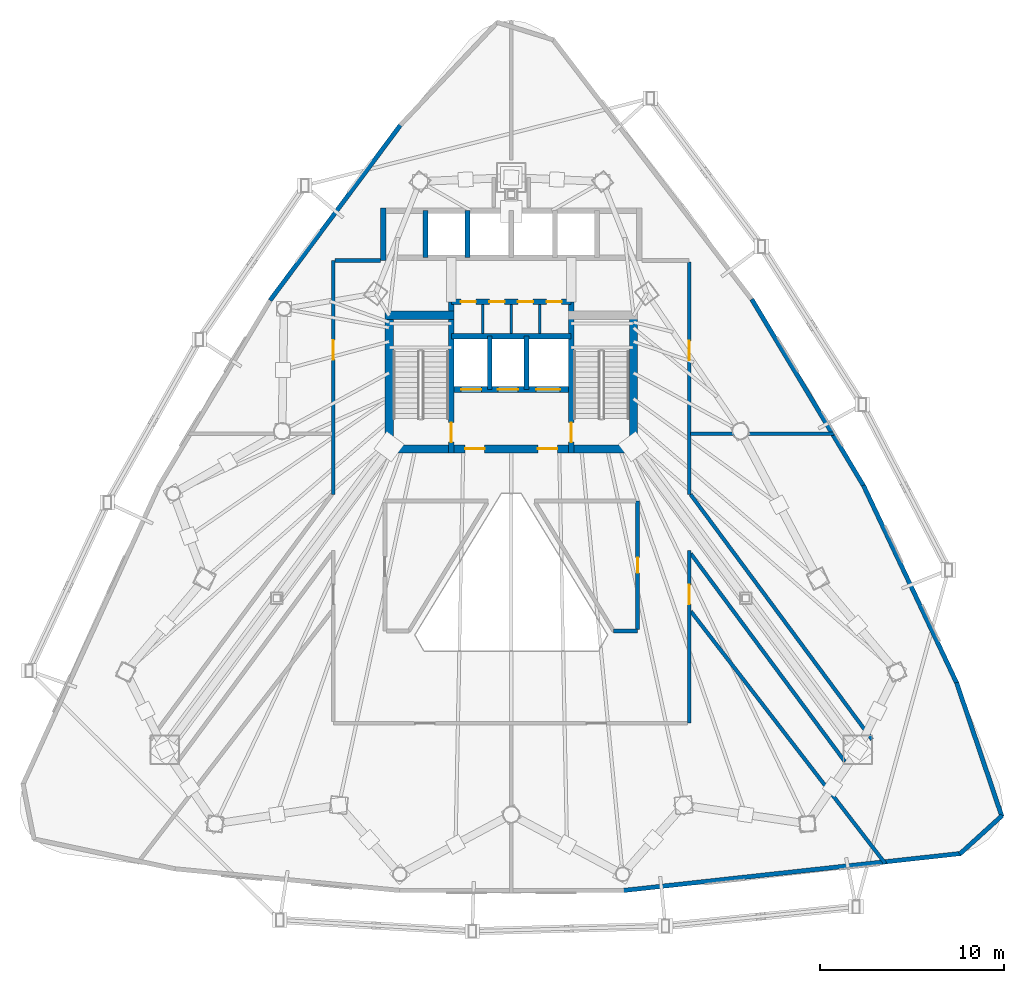
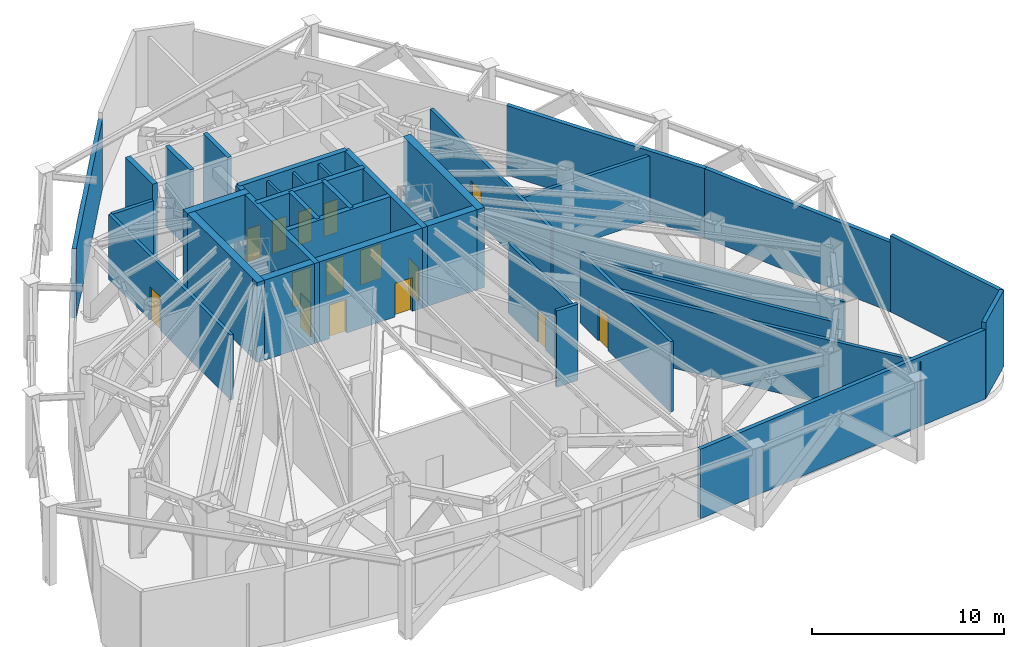
# One storey, part 6 of 10: 33 walls, 15 doors, 15 openings.
"""IFC4 building model written with IfcOpenShell, lengths in metres."""

from ifc_helpers import new_model, si_unit, direction, frame, frame_2d, origin, place, context, subcontext, project, spatial, rectangle, extrude, material, layer, layer_set, type_object, element, fill, save


model = new_model("IFC4")

# Units and contexts
model_context = context("Model", 3, precision=1e-05, world=origin(), true_north=direction((0.0, 1.0)))
body_context = subcontext(model_context, "Body", "Model", "MODEL_VIEW")
ifc_project = project(units=[si_unit("LENGTHUNIT", "METRE"), si_unit("AREAUNIT", "SQUARE_METRE"), si_unit("VOLUMEUNIT", "CUBIC_METRE"), si_unit("PLANEANGLEUNIT", "RADIAN"), si_unit("MASSUNIT", "GRAM", prefix="KILO")], contexts=[model_context])

# Site, building, storey
site_placement = place(None, origin())
site = spatial("IfcSite", under=ifc_project, at=site_placement, CompositionType="ELEMENT")
building_placement = place(site_placement, origin())
building = spatial("IfcBuilding", under=site, at=building_placement, Name="Orvanel Arch Residences", CompositionType="ELEMENT")
storey_placement = place(building_placement, frame((0.0, 0.0, 101.60009765625)))
storey = spatial("IfcBuildingStorey", under=building, at=storey_placement, Name="L28", CompositionType="ELEMENT", Elevation=101.60009765625)

# Walls
ifc_material_1 = material(Name="Precast concrete N50 (50 MPa)", Category="concrete")
ifc_layer_1 = layer(ifc_material_1, 0.239990234375)
ifc_layer_set_1 = layer_set([ifc_layer_1], Name="Precast concrete N50 (50 MPa)")
wall_type_1 = type_object("IfcWallType", Name="EW-BAL-240", PredefinedType="SOLIDWALL", material=ifc_layer_set_1)
wall_1_placement = place(storey_placement, frame((27.02294921875, 44.284912109375, 0.0), z_axis=(0.0, 0.0, 1.0), x_axis=(-0.596844342512, -0.802357046963, 0.0)))
element("IfcWall", 1, at=wall_1_placement, inside=storey, type_object=wall_type_1, Name="L28 Plant Acoustic Louvre Wall Face 1A", PredefinedType="SOLIDWALL", context=body_context, shape_type="SweptSolid", body=[
    extrude(rectangle(XDim=11.90087890625, YDim=0.239990234375, at=frame_2d((5.950439453125, 0.0))), origin(), (0.0, 0.0, 1.0), 4.423828125),
])
wall_2_placement = place(storey_placement, frame((39.052978515625, 2.722900390625, 0.0), z_axis=(0.0, 0.0, 1.0), x_axis=(0.994049046298, 0.108933436345, 0.0)))
element("IfcWall", 2, at=wall_2_placement, inside=storey, type_object=wall_type_1, Name="L28 Plant Acoustic Louvre Wall Face 2C", PredefinedType="SOLIDWALL", context=body_context, shape_type="SweptSolid", body=[
    extrude(rectangle(XDim=18.44287109375, YDim=0.239990234375, at=frame_2d((9.221435546875, 0.0))), origin(), (0.0, 0.0, 1.0), 4.423828125),
])
wall_3_placement = place(storey_placement, frame((57.180908203125, 13.93603515625, 0.0), z_axis=(0.0, 0.0, 1.0), x_axis=(-0.426823189916, 0.904335095277, 0.0)))
element("IfcWall", 3, at=wall_3_placement, inside=storey, type_object=wall_type_1, Name="L28 Plant Acoustic Louvre Wall Face 3A", PredefinedType="SOLIDWALL", context=body_context, shape_type="SweptSolid", body=[
    extrude(rectangle(XDim=11.901611328125, YDim=0.239990234375, at=frame_2d((5.95068359375, 0.0))), origin(), (0.0, 0.0, 1.0), 4.423828125),
])
wall_4_placement = place(storey_placement, frame((52.134033203125, 24.636962890625, 0.0), z_axis=(0.0, 0.0, 1.0), x_axis=(-0.514423004023, 0.857536572359, 0.0)))
element("IfcWall", 4, at=wall_4_placement, inside=storey, type_object=wall_type_1, Name="L28 Plant Acoustic Louvre Wall Face 3B", PredefinedType="SOLIDWALL", context=body_context, shape_type="SweptSolid", body=[
    extrude(rectangle(XDim=11.844482421875, YDim=0.239990234375, at=frame_2d((5.92236328125, 0.0))), origin(), (0.0, 0.0, 1.0), 4.423828125),
])
wall_5_placement = place(storey_placement, frame((57.325927734375, 4.705078125, 0.0), z_axis=(0.0, 0.0, 1.0), x_axis=(0.740430642157, 0.672132772713, 0.0)))
element("IfcWall", 5, at=wall_5_placement, inside=storey, type_object=wall_type_1, Name="L28 Plant Corner Enclosure Wall", PredefinedType="SOLIDWALL", context=body_context, shape_type="SweptSolid", body=[
    extrude(rectangle(XDim=3.1064453125, YDim=0.239990234375, at=frame_2d((1.55322265625, 0.0))), origin(), (0.0, 0.0, 1.0), 4.85986328125),
])
wall_6_placement = place(storey_placement, frame((59.612060546875, 6.736083984375, 0.0), z_axis=(0.0, 0.0, 1.0), x_axis=(-0.320379093225, 0.94728941545, 0.0)))
element("IfcWall", 6, at=wall_6_placement, inside=storey, type_object=wall_type_1, Name="L28 Plant Corner Enclosure Wall", PredefinedType="SOLIDWALL", context=body_context, shape_type="SweptSolid", body=[
    extrude(rectangle(XDim=7.669189453125, YDim=0.239990234375, at=frame_2d((3.83447265625, 0.0))), origin(), (0.0, 0.0, 1.0), 4.85986328125),
])
ifc_material_2 = material(Name="Concrete N50 (50 MPa)", Category="concrete")
ifc_layer_2 = layer(ifc_material_2, 0.25)
ifc_layer_set_2 = layer_set([ifc_layer_2], Name="Concrete N50 (50 MPa)")
wall_type_2 = type_object("IfcWallType", Name="SW-CORE-250", PredefinedType="SHEAR", material=ifc_layer_set_2)
for number, where, z_axis, x_axis, name in (
    (7, (31.824951171875, 29.89990234375, 0.0), (0.0, 0.0, 1.0), (0.0, 1.0, 0.0), "L28 Emergency Lift Inter-Shaft Wall F12"),
    (8, (33.824951171875, 29.89990234375, 0.0), (0.0, 0.0, 1.0), (0.0, 1.0, 0.0), "L28 Emergency Lift Inter-Shaft Wall F2G"),
):
    element("IfcWall", number, at=place(storey_placement, frame(where, z_axis=z_axis, x_axis=x_axis)), inside=storey, type_object=wall_type_2, Name=name, PredefinedType="SHEAR", context=body_context, shape_type="SweptSolid", body=[
        extrude(rectangle(XDim=2.900146484375, YDim=0.25, at=frame_2d((1.4501953125, 0.0))), origin(), (0.0, 0.0, 1.0), 5.099853515625),
    ])
for number, where, z_axis, x_axis, name in (
    (9, (28.35009765625, 37.050048828125, 0.0), (0.0, 0.0, 1.0), (0.0, 1.0, 0.0), "L28 Passenger Lift Inter-Shaft Wall P13"),
    (10, (30.625, 37.050048828125, 0.0), (0.0, 0.0, 1.0), (0.0, 1.0, 0.0), "L28 Passenger Lift Inter-Shaft Wall P35"),
):
    element("IfcWall", number, at=place(storey_placement, frame(where, z_axis=z_axis, x_axis=x_axis)), inside=storey, type_object=wall_type_2, Name=name, PredefinedType="SHEAR", context=body_context, shape_type="SweptSolid", body=[
        extrude(rectangle(XDim=2.550048828125, YDim=0.25, at=frame_2d((1.27490234375, 0.0))), origin(), (0.0, 0.0, 1.0), 5.099853515625),
    ])

# Wall, opening, door
ifc_material_3 = material(Name="Concrete S80 (80 MPa)", Category="concrete")
ifc_layer_3 = layer(ifc_material_3, 0.300048828125)
ifc_layer_set_3 = layer_set([ifc_layer_3], Name="Concrete S80 (80 MPa)")
wall_type_3 = type_object("IfcWallType", Name="SW-CORE-300", PredefinedType="SHEAR", material=ifc_layer_set_3)
wall_7_placement = place(storey_placement, frame((29.75, 26.449951171875, 0.0), z_axis=(0.0, 0.0, 1.0), x_axis=(0.0, 1.0, 0.0)))
wall_7 = element("IfcWall", 11, at=wall_7_placement, inside=storey, type_object=wall_type_3, Name="L28 West Inner Core Spine Shear Wall", PredefinedType="SHEAR", context=body_context, shape_type="SweptSolid", body=[
    extrude(rectangle(XDim=8.199951171875, YDim=0.300048828125, at=frame_2d((4.10009765625, 0.0))), origin(), (0.0, 0.0, 1.0), 5.099853515625),
])
opening_1_placement = place(wall_7_placement, frame((0.60009765625, 0.0, 0.0)))
opening_1 = element("IfcOpeningElement", 12, at=opening_1_placement, cuts=wall_7, Name="Opening DF-120", PredefinedType="OPENING", context=body_context, shape_type="SweptSolid", body=[
    extrude(rectangle(XDim=1.050048828125, YDim=2.14990234375, at=frame_2d((0.52490234375, 1.074951171875))), frame((0.0, 0.159912109375, 0.0), z_axis=(0.0, -1.0, 0.0), x_axis=(1.0, 0.0, 0.0)), (0.0, 0.0, 1.0), 0.320068359375),
])
ifc_material_4 = material(Name="Galvanised steel fire-resisting door assembly", Category="steel")
door_type_1 = type_object("IfcDoorType", Name="DR-FD120-1050", OperationType="NOTDEFINED", PredefinedType="DOOR", material=ifc_material_4)
door_1_placement = place(opening_1_placement, origin())
door_1 = element("IfcDoor", 13, at=door_1_placement, inside=storey, type_object=door_type_1, Name="DR-L28-ST1 L28 Stair 1 Fire Door", OperationType="SINGLE_SWING_LEFT", OverallHeight=2.14990234375, OverallWidth=1.050048828125, PredefinedType="DOOR", context=body_context, shape_type="SweptSolid", body=[
    extrude(rectangle(XDim=1.050048828125, YDim=2.14990234375, at=frame_2d((0.52490234375, 1.074951171875))), frame((0.0, 0.02490234375, 0.0), z_axis=(0.0, -1.0, 0.0), x_axis=(1.0, 0.0, 0.0)), (0.0, 0.0, 1.0), 0.050048828125),
])
fill(opening_1, door_1)

wall_8_placement = place(storey_placement, frame((36.25, 26.449951171875, 0.0), z_axis=(0.0, 0.0, 1.0), x_axis=(0.0, 1.0, 0.0)))
wall_8 = element("IfcWall", 14, at=wall_8_placement, inside=storey, type_object=wall_type_3, Name="L28 East Inner Core Spine Shear Wall", PredefinedType="SHEAR", context=body_context, shape_type="SweptSolid", body=[
    extrude(rectangle(XDim=8.199951171875, YDim=0.300048828125, at=frame_2d((4.10009765625, 0.0))), origin(), (0.0, 0.0, 1.0), 5.099853515625),
])
opening_2_placement = place(wall_8_placement, frame((0.60009765625, 0.0, 0.0)))
opening_2 = element("IfcOpeningElement", 15, at=opening_2_placement, cuts=wall_8, Name="Opening DF-120", PredefinedType="OPENING", context=body_context, shape_type="SweptSolid", body=[
    extrude(rectangle(XDim=1.050048828125, YDim=2.14990234375, at=frame_2d((0.52490234375, 1.074951171875))), frame((0.0, 0.159912109375, 0.0), z_axis=(0.0, -1.0, 0.0), x_axis=(1.0, 0.0, 0.0)), (0.0, 0.0, 1.0), 0.320068359375),
])
door_2_placement = place(opening_2_placement, origin())
door_2 = element("IfcDoor", 16, at=door_2_placement, inside=storey, type_object=door_type_1, Name="DR-L28-ST2 L28 Stair 2 Fire Door", OperationType="SINGLE_SWING_RIGHT", OverallHeight=2.14990234375, OverallWidth=1.050048828125, PredefinedType="DOOR", context=body_context, shape_type="SweptSolid", body=[
    extrude(rectangle(XDim=1.050048828125, YDim=2.14990234375, at=frame_2d((0.52490234375, 1.074951171875))), frame((0.0, 0.02490234375, 0.0), z_axis=(0.0, -1.0, 0.0), x_axis=(1.0, 0.0, 0.0)), (0.0, 0.0, 1.0), 0.050048828125),
])
fill(opening_2, door_2)

# Wall, openings, doors
wall_9_placement = place(storey_placement, frame((36.25, 29.89990234375, 0.0), z_axis=(0.0, 0.0, 1.0), x_axis=(-1.0, 0.0, 0.0)))
wall_9 = element("IfcWall", 17, at=wall_9_placement, inside=storey, type_object=wall_type_3, Name="L28 Emergency Lift Front Core Shear Wall", PredefinedType="SHEAR", context=body_context, shape_type="SweptSolid", body=[
    extrude(rectangle(XDim=6.5, YDim=0.300048828125, at=frame_2d((3.25, 0.0))), origin(), (0.0, 0.0, 1.0), 5.099853515625),
])
opening_3_placement = place(wall_9_placement, frame((4.875, 0.0, 0.0)))
opening_3 = element("IfcOpeningElement", 18, at=opening_3_placement, cuts=wall_9, Name="Opening LD-110", PredefinedType="OPENING", context=body_context, shape_type="SweptSolid", body=[
    extrude(rectangle(XDim=1.10009765625, YDim=2.199951171875, at=frame_2d((0.550048828125, 1.10009765625))), frame((0.0, 0.159912109375, 0.0), z_axis=(0.0, -1.0, 0.0), x_axis=(1.0, 0.0, 0.0)), (0.0, 0.0, 1.0), 0.320068359375),
])
opening_4_placement = place(wall_9_placement, frame((2.875, 0.0, 0.0)))
opening_4 = element("IfcOpeningElement", 19, at=opening_4_placement, cuts=wall_9, Name="Opening LD-110", PredefinedType="OPENING", context=body_context, shape_type="SweptSolid", body=[
    extrude(rectangle(XDim=1.10009765625, YDim=2.199951171875, at=frame_2d((0.550048828125, 1.10009765625))), frame((0.0, 0.159912109375, 0.0), z_axis=(0.0, -1.0, 0.0), x_axis=(1.0, 0.0, 0.0)), (0.0, 0.0, 1.0), 0.320068359375),
])
opening_5_placement = place(wall_9_placement, frame((0.60009765625, 0.0, 0.0)))
opening_5 = element("IfcOpeningElement", 20, at=opening_5_placement, cuts=wall_9, Name="Opening LD-130", PredefinedType="OPENING", context=body_context, shape_type="SweptSolid", body=[
    extrude(rectangle(XDim=1.300048828125, YDim=2.199951171875, at=frame_2d((0.64990234375, 1.10009765625))), frame((0.0, 0.159912109375, 0.0), z_axis=(0.0, -1.0, 0.0), x_axis=(1.0, 0.0, 0.0)), (0.0, 0.0, 1.0), 0.320068359375),
])
door_type_2 = type_object("IfcDoorType", Name="DR-LFT-1100", OperationType="NOTDEFINED", PredefinedType="DOOR", material=ifc_material_4)
door_3_placement = place(opening_3_placement, origin())
door_3 = element("IfcDoor", 21, at=door_3_placement, inside=storey, type_object=door_type_2, Name="LD-F1-L28 L28 Lift F1 Sliding Landing Door", OperationType="DOUBLE_DOOR_SLIDING", OverallHeight=2.199951171875, OverallWidth=1.10009765625, PredefinedType="DOOR", context=body_context, shape_type="SweptSolid", body=[
    extrude(rectangle(XDim=1.10009765625, YDim=2.199951171875, at=frame_2d((0.550048828125, 1.10009765625))), frame((0.0, 0.02490234375, 0.0), z_axis=(0.0, -1.0, 0.0), x_axis=(1.0, 0.0, 0.0)), (0.0, 0.0, 1.0), 0.050048828125),
])
fill(opening_3, door_3)
door_4_placement = place(opening_4_placement, origin())
door_4 = element("IfcDoor", 22, at=door_4_placement, inside=storey, type_object=door_type_2, Name="LD-F2-L28 L28 Lift F2 Sliding Landing Door", OperationType="DOUBLE_DOOR_SLIDING", OverallHeight=2.199951171875, OverallWidth=1.10009765625, PredefinedType="DOOR", context=body_context, shape_type="SweptSolid", body=[
    extrude(rectangle(XDim=1.10009765625, YDim=2.199951171875, at=frame_2d((0.550048828125, 1.10009765625))), frame((0.0, 0.02490234375, 0.0), z_axis=(0.0, -1.0, 0.0), x_axis=(1.0, 0.0, 0.0)), (0.0, 0.0, 1.0), 0.050048828125),
])
fill(opening_4, door_4)
door_type_3 = type_object("IfcDoorType", Name="DR-LFT-1300", OperationType="NOTDEFINED", PredefinedType="DOOR", material=ifc_material_4)
door_5_placement = place(opening_5_placement, origin())
door_5 = element("IfcDoor", 23, at=door_5_placement, inside=storey, type_object=door_type_3, Name="LD-G1-L28 L28 Lift G1 Sliding Landing Door", OperationType="DOUBLE_DOOR_SLIDING", OverallHeight=2.199951171875, OverallWidth=1.300048828125, PredefinedType="DOOR", context=body_context, shape_type="SweptSolid", body=[
    extrude(rectangle(XDim=1.300048828125, YDim=2.199951171875, at=frame_2d((0.64990234375, 1.10009765625))), frame((0.0, 0.02490234375, 0.0), z_axis=(0.0, -1.0, 0.0), x_axis=(1.0, 0.0, 0.0)), (0.0, 0.0, 1.0), 0.050048828125),
])
fill(opening_5, door_5)

# Wall
wall_10_placement = place(storey_placement, frame((29.75, 32.800048828125, 0.0), z_axis=(0.0, 0.0, 1.0), x_axis=(1.0, 0.0, 0.0)))
element("IfcWall", 24, at=wall_10_placement, inside=storey, type_object=wall_type_3, Name="L28 Emergency Lift Back Core Shear Wall", PredefinedType="SHEAR", context=body_context, shape_type="SweptSolid", body=[
    extrude(rectangle(XDim=6.5, YDim=0.300048828125, at=frame_2d((3.25, 0.0))), origin(), (0.0, 0.0, 1.0), 5.099853515625),
])

# Wall, openings, doors
wall_11_placement = place(storey_placement, frame((29.75, 34.64990234375, 0.0), z_axis=(0.0, 0.0, 1.0), x_axis=(1.0, 0.0, 0.0)))
wall_11 = element("IfcWall", 25, at=wall_11_placement, inside=storey, type_object=wall_type_3, Name="L28 Core Service Band North Shear Wall", PredefinedType="SHEAR", context=body_context, shape_type="SweptSolid", body=[
    extrude(rectangle(XDim=6.5, YDim=0.300048828125, at=frame_2d((3.25, 0.0))), origin(), (0.0, 0.0, 1.0), 5.099853515625),
])
opening_6_placement = place(wall_11_placement, frame((0.514892578125, 0.0, 0.0)))
opening_6 = element("IfcOpeningElement", 26, at=opening_6_placement, cuts=wall_11, Name="Opening DS-082", PredefinedType="OPENING", context=body_context, shape_type="SweptSolid", body=[
    extrude(rectangle(XDim=0.820068359375, YDim=2.10009765625, at=frame_2d((0.41015625, 1.050048828125))), frame((0.0, 0.159912109375, 0.0), z_axis=(0.0, -1.0, 0.0), x_axis=(1.0, 0.0, 0.0)), (0.0, 0.0, 1.0), 0.320068359375),
])
opening_7_placement = place(wall_11_placement, frame((2.06494140625, 0.0, 0.0)))
opening_7 = element("IfcOpeningElement", 27, at=opening_7_placement, cuts=wall_11, Name="Opening DS-082", PredefinedType="OPENING", context=body_context, shape_type="SweptSolid", body=[
    extrude(rectangle(XDim=0.820068359375, YDim=2.10009765625, at=frame_2d((0.41015625, 1.050048828125))), frame((0.0, 0.159912109375, 0.0), z_axis=(0.0, -1.0, 0.0), x_axis=(1.0, 0.0, 0.0)), (0.0, 0.0, 1.0), 0.320068359375),
])
opening_8_placement = place(wall_11_placement, frame((3.614990234375, 0.0, 0.0)))
opening_8 = element("IfcOpeningElement", 28, at=opening_8_placement, cuts=wall_11, Name="Opening DS-082", PredefinedType="OPENING", context=body_context, shape_type="SweptSolid", body=[
    extrude(rectangle(XDim=0.820068359375, YDim=2.10009765625, at=frame_2d((0.41015625, 1.050048828125))), frame((0.0, 0.159912109375, 0.0), z_axis=(0.0, -1.0, 0.0), x_axis=(1.0, 0.0, 0.0)), (0.0, 0.0, 1.0), 0.320068359375),
])
opening_9_placement = place(wall_11_placement, frame((5.1650390625, 0.0, 0.0)))
opening_9 = element("IfcOpeningElement", 29, at=opening_9_placement, cuts=wall_11, Name="Opening DS-082", PredefinedType="OPENING", context=body_context, shape_type="SweptSolid", body=[
    extrude(rectangle(XDim=0.820068359375, YDim=2.10009765625, at=frame_2d((0.41015625, 1.050048828125))), frame((0.0, 0.159912109375, 0.0), z_axis=(0.0, -1.0, 0.0), x_axis=(1.0, 0.0, 0.0)), (0.0, 0.0, 1.0), 0.320068359375),
])
door_type_4 = type_object("IfcDoorType", Name="DR-SVC-820", OperationType="NOTDEFINED", PredefinedType="DOOR", material=ifc_material_4)
door_6_placement = place(opening_6_placement, origin())
door_6 = element("IfcDoor", 30, at=door_6_placement, inside=storey, type_object=door_type_4, Name="DR-L28-CSVC-1 L28 Linen Store Door", OperationType="SINGLE_SWING_LEFT", OverallHeight=2.10009765625, OverallWidth=0.820068359375, PredefinedType="DOOR", context=body_context, shape_type="SweptSolid", body=[
    extrude(rectangle(XDim=0.820068359375, YDim=2.10009765625, at=frame_2d((0.41015625, 1.050048828125))), frame((0.0, 0.02490234375, 0.0), z_axis=(0.0, -1.0, 0.0), x_axis=(1.0, 0.0, 0.0)), (0.0, 0.0, 1.0), 0.050048828125),
])
fill(opening_6, door_6)
door_7_placement = place(opening_7_placement, origin())
door_7 = element("IfcDoor", 31, at=door_7_placement, inside=storey, type_object=door_type_4, Name="DR-L28-CSVC-2 L28 Cleaner's Store Door", OperationType="SINGLE_SWING_LEFT", OverallHeight=2.10009765625, OverallWidth=0.820068359375, PredefinedType="DOOR", context=body_context, shape_type="SweptSolid", body=[
    extrude(rectangle(XDim=0.820068359375, YDim=2.10009765625, at=frame_2d((0.41015625, 1.050048828125))), frame((0.0, 0.02490234375, 0.0), z_axis=(0.0, -1.0, 0.0), x_axis=(1.0, 0.0, 0.0)), (0.0, 0.0, 1.0), 0.050048828125),
])
fill(opening_7, door_7)
door_8_placement = place(opening_8_placement, origin())
door_8 = element("IfcDoor", 32, at=door_8_placement, inside=storey, type_object=door_type_4, Name="DR-L28-CSVC-3 L28 Electrical Meter Store Door", OperationType="SINGLE_SWING_LEFT", OverallHeight=2.10009765625, OverallWidth=0.820068359375, PredefinedType="DOOR", context=body_context, shape_type="SweptSolid", body=[
    extrude(rectangle(XDim=0.820068359375, YDim=2.10009765625, at=frame_2d((0.41015625, 1.050048828125))), frame((0.0, 0.02490234375, 0.0), z_axis=(0.0, -1.0, 0.0), x_axis=(1.0, 0.0, 0.0)), (0.0, 0.0, 1.0), 0.050048828125),
])
fill(opening_8, door_8)
door_9_placement = place(opening_9_placement, origin())
door_9 = element("IfcDoor", 33, at=door_9_placement, inside=storey, type_object=door_type_4, Name="DR-L28-CSVC-4 L28 Housekeeping Supply Store Door", OperationType="SINGLE_SWING_LEFT", OverallHeight=2.10009765625, OverallWidth=0.820068359375, PredefinedType="DOOR", context=body_context, shape_type="SweptSolid", body=[
    extrude(rectangle(XDim=0.820068359375, YDim=2.10009765625, at=frame_2d((0.41015625, 1.050048828125))), frame((0.0, 0.02490234375, 0.0), z_axis=(0.0, -1.0, 0.0), x_axis=(1.0, 0.0, 0.0)), (0.0, 0.0, 1.0), 0.050048828125),
])
fill(opening_9, door_9)

# Wall
wall_12_placement = place(storey_placement, frame((26.050048828125, 36.89990234375, 0.0), z_axis=(0.0, 0.0, 1.0), x_axis=(0.0, 1.0, 0.0)))
element("IfcWall", 34, at=wall_12_placement, inside=storey, type_object=wall_type_3, Name="L28 Passenger Lift Bank West Shear Wall", PredefinedType="SHEAR", context=body_context, shape_type="SweptSolid", body=[
    extrude(rectangle(XDim=2.85009765625, YDim=0.300048828125, at=frame_2d((1.425048828125, 0.0))), origin(), (0.0, 0.0, 1.0), 5.099853515625),
])

# Wall, openings, doors
ifc_layer_4 = layer(ifc_material_3, 0.449951171875)
ifc_layer_set_4 = layer_set([ifc_layer_4], Name="Concrete S80 (80 MPa)")
wall_type_4 = type_object("IfcWallType", Name="SW-CORE-450", PredefinedType="SHEAR", material=ifc_layer_set_4)
wall_13_placement = place(storey_placement, frame((26.14990234375, 26.675048828125, 0.0), z_axis=(0.0, 0.0, 1.0), x_axis=(1.0, 0.0, 0.0)))
wall_13 = element("IfcWall", 35, at=wall_13_placement, inside=storey, type_object=wall_type_4, Name="L28 South Core Shear Wall", PredefinedType="SHEAR", context=body_context, shape_type="SweptSolid", body=[
    extrude(rectangle(XDim=13.7001953125, YDim=0.449951171875, at=frame_2d((6.85009765625, 0.0))), origin(), (0.0, 0.0, 1.0), 5.099853515625),
])
opening_10_placement = place(wall_13_placement, frame((4.35009765625, 0.0, 0.0)))
opening_10 = element("IfcOpeningElement", 36, at=opening_10_placement, cuts=wall_13, Name="Opening DF-060", PredefinedType="OPENING", context=body_context, shape_type="SweptSolid", body=[
    extrude(rectangle(XDim=1.050048828125, YDim=2.14990234375, at=frame_2d((0.52490234375, 1.074951171875))), frame((0.0, 0.23486328125, 0.0), z_axis=(0.0, -1.0, 0.0), x_axis=(1.0, 0.0, 0.0)), (0.0, 0.0, 1.0), 0.469970703125),
])
opening_11_placement = place(wall_13_placement, frame((8.300048828125, 0.0, 0.0)))
opening_11 = element("IfcOpeningElement", 37, at=opening_11_placement, cuts=wall_13, Name="Opening DF-060", PredefinedType="OPENING", context=body_context, shape_type="SweptSolid", body=[
    extrude(rectangle(XDim=1.050048828125, YDim=2.14990234375, at=frame_2d((0.52490234375, 1.074951171875))), frame((0.0, 0.23486328125, 0.0), z_axis=(0.0, -1.0, 0.0), x_axis=(1.0, 0.0, 0.0)), (0.0, 0.0, 1.0), 0.469970703125),
])
door_type_5 = type_object("IfcDoorType", Name="DR-FD60-1050", OperationType="NOTDEFINED", PredefinedType="DOOR", material=ifc_material_4)
door_10_placement = place(opening_10_placement, origin())
door_10 = element("IfcDoor", 38, at=door_10_placement, inside=storey, type_object=door_type_5, Name="DR-L28-FFL-W L28 West Smoke Lobby Door", OperationType="SINGLE_SWING_LEFT", OverallHeight=2.14990234375, OverallWidth=1.050048828125, PredefinedType="DOOR", context=body_context, shape_type="SweptSolid", body=[
    extrude(rectangle(XDim=1.050048828125, YDim=2.14990234375, at=frame_2d((0.52490234375, 1.074951171875))), frame((0.0, 0.02490234375, 0.0), z_axis=(0.0, -1.0, 0.0), x_axis=(1.0, 0.0, 0.0)), (0.0, 0.0, 1.0), 0.050048828125),
])
fill(opening_10, door_10)
door_11_placement = place(opening_11_placement, origin())
door_11 = element("IfcDoor", 39, at=door_11_placement, inside=storey, type_object=door_type_5, Name="DR-L28-FFL-E L28 East Smoke Lobby Door", OperationType="SINGLE_SWING_RIGHT", OverallHeight=2.14990234375, OverallWidth=1.050048828125, PredefinedType="DOOR", context=body_context, shape_type="SweptSolid", body=[
    extrude(rectangle(XDim=1.050048828125, YDim=2.14990234375, at=frame_2d((0.52490234375, 1.074951171875))), frame((0.0, 0.02490234375, 0.0), z_axis=(0.0, -1.0, 0.0), x_axis=(1.0, 0.0, 0.0)), (0.0, 0.0, 1.0), 0.050048828125),
])
fill(opening_11, door_11)

# Walls
wall_14_placement = place(storey_placement, frame((26.375, 26.449951171875, 0.0), z_axis=(0.0, 0.0, 1.0), x_axis=(0.0, 1.0, 0.0)))
element("IfcWall", 40, at=wall_14_placement, inside=storey, type_object=wall_type_4, Name="L28 West Stair Shear Wall", PredefinedType="SHEAR", context=body_context, shape_type="SweptSolid", body=[
    extrude(rectangle(XDim=7.699951171875, YDim=0.449951171875, at=frame_2d((3.85009765625, 0.0))), origin(), (0.0, 0.0, 1.0), 5.099853515625),
])
wall_15_placement = place(storey_placement, frame((26.14990234375, 33.925048828125, 0.0), z_axis=(0.0, 0.0, 1.0), x_axis=(1.0, 0.0, 0.0)))
element("IfcWall", 41, at=wall_15_placement, inside=storey, type_object=wall_type_4, Name="L28 West Stair North Shear Wall", PredefinedType="SHEAR", context=body_context, shape_type="SweptSolid", body=[
    extrude(rectangle(XDim=3.75, YDim=0.449951171875, at=frame_2d((1.875, 0.0))), origin(), (0.0, 0.0, 1.0), 5.099853515625),
])
wall_16_placement = place(storey_placement, frame((39.625, 26.449951171875, 0.0), z_axis=(0.0, 0.0, 1.0), x_axis=(0.0, 1.0, 0.0)))
element("IfcWall", 42, at=wall_16_placement, inside=storey, type_object=wall_type_4, Name="L28 East Stair Shear Wall", PredefinedType="SHEAR", context=body_context, shape_type="SweptSolid", body=[
    extrude(rectangle(XDim=7.699951171875, YDim=0.449951171875, at=frame_2d((3.85009765625, 0.0))), origin(), (0.0, 0.0, 1.0), 5.099853515625),
])

# Wall, opening, door
ifc_material_5 = material(Name="Fire-rated plasterboard lined steel stud partition", Category="steel")
ifc_layer_5 = layer(ifc_material_5, 0.199951171875)
ifc_layer_set_5 = layer_set([ifc_layer_5], Name="Fire-rated plasterboard lined steel stud partition")
wall_type_5 = type_object("IfcWallType", Name="W-PLT-200", PredefinedType="PARTITIONING", material=ifc_layer_set_5)
wall_17_placement = place(storey_placement, frame((42.64990234375, 21.177001953125, 0.0), z_axis=(0.0, 0.0, 1.0), x_axis=(0.0, -1.0, 0.0)))
wall_17 = element("IfcWall", 43, at=wall_17_placement, inside=storey, type_object=wall_type_5, Name="L28 Fire-Rated Refuge and Plant Corridor Wall", PredefinedType="PARTITIONING", context=body_context, shape_type="SweptSolid", body=[
    extrude(rectangle(XDim=9.376953125, YDim=0.199951171875, at=frame_2d((4.6884765625, 0.0))), origin(), (0.0, 0.0, 1.0), 4.468994140625),
])
opening_12_placement = place(wall_17_placement, frame((1.875, 0.0, 0.0)))
opening_12 = element("IfcOpeningElement", 44, at=opening_12_placement, cuts=wall_17, Name="Opening DF-120", PredefinedType="OPENING", context=body_context, shape_type="SweptSolid", body=[
    extrude(rectangle(XDim=1.050048828125, YDim=2.14990234375, at=frame_2d((0.52490234375, 1.074951171875))), frame((0.0, 0.10986328125, 0.0), z_axis=(0.0, -1.0, 0.0), x_axis=(1.0, 0.0, 0.0)), (0.0, 0.0, 1.0), 0.219970703125),
])
door_12_placement = place(opening_12_placement, origin())
door_12 = element("IfcDoor", 45, at=door_12_placement, inside=storey, type_object=door_type_1, Name="DR-L28-PR-7 L28 L28 Pressurised Fire Refuge Area 1 Fire Door", OperationType="SINGLE_SWING_LEFT", OverallHeight=2.14990234375, OverallWidth=1.050048828125, PredefinedType="DOOR", context=body_context, shape_type="SweptSolid", body=[
    extrude(rectangle(XDim=1.050048828125, YDim=2.14990234375, at=frame_2d((0.52490234375, 1.074951171875))), frame((0.0, 0.02490234375, 0.0), z_axis=(0.0, -1.0, 0.0), x_axis=(1.0, 0.0, 0.0)), (0.0, 0.0, 1.0), 0.050048828125),
])
fill(opening_12, door_12)

wall_18_placement = place(storey_placement, frame((23.35009765625, 24.208984375, 0.0), z_axis=(0.0, 0.0, 1.0), x_axis=(0.0, 1.0, 0.0)))
wall_18 = element("IfcWall", 46, at=wall_18_placement, inside=storey, type_object=wall_type_5, Name="L28 Fire-Rated Refuge and Plant Corridor Wall", PredefinedType="PARTITIONING", context=body_context, shape_type="SweptSolid", body=[
    extrude(rectangle(XDim=12.69091796875, YDim=0.199951171875, at=frame_2d((6.345458984375, 0.0))), origin(), (0.0, 0.0, 1.0), 4.125),
])
opening_13_placement = place(wall_18_placement, frame((7.31591796875, 0.0, 0.0)))
opening_13 = element("IfcOpeningElement", 47, at=opening_13_placement, cuts=wall_18, Name="Opening DF-120", PredefinedType="OPENING", context=body_context, shape_type="SweptSolid", body=[
    extrude(rectangle(XDim=1.050048828125, YDim=2.14990234375, at=frame_2d((0.52490234375, 1.074951171875))), frame((0.0, 0.10986328125, 0.0), z_axis=(0.0, -1.0, 0.0), x_axis=(1.0, 0.0, 0.0)), (0.0, 0.0, 1.0), 0.219970703125),
])
door_13_placement = place(opening_13_placement, origin())
door_13 = element("IfcDoor", 48, at=door_13_placement, inside=storey, type_object=door_type_1, Name="DR-L28-PR-3 L28 L28 Hydraulic Fire and Domestic Pump Plant Room Fire Door", OperationType="SINGLE_SWING_LEFT", OverallHeight=2.14990234375, OverallWidth=1.050048828125, PredefinedType="DOOR", context=body_context, shape_type="SweptSolid", body=[
    extrude(rectangle(XDim=1.050048828125, YDim=2.14990234375, at=frame_2d((0.52490234375, 1.074951171875))), frame((0.0, 0.02490234375, 0.0), z_axis=(0.0, -1.0, 0.0), x_axis=(1.0, 0.0, 0.0)), (0.0, 0.0, 1.0), 0.050048828125),
])
fill(opening_13, door_13)

# Walls
wall_19_placement = place(storey_placement, frame((23.43505859375, 36.89990234375, 0.0), z_axis=(0.0, 0.0, 1.0), x_axis=(1.0, 0.0, 0.0)))
element("IfcWall", 49, at=wall_19_placement, inside=storey, type_object=wall_type_5, Name="L28 Fire-Rated Refuge and Plant Corridor Wall", PredefinedType="PARTITIONING", context=body_context, shape_type="SweptSolid", body=[
    extrude(rectangle(XDim=2.46484375, YDim=0.199951171875, at=frame_2d((1.232421875, 0.0))), origin(), (0.0, 0.0, 1.0), 4.125),
])
wall_20_placement = place(storey_placement, frame((38.55810546875, 16.800048828125, 0.0), z_axis=(0.0, 0.0, 1.0), x_axis=(1.0, 0.0, 0.0)))
element("IfcWall", 50, at=wall_20_placement, inside=storey, type_object=wall_type_5, Name="L28 Fire-Rated Refuge and Plant Corridor Wall", PredefinedType="PARTITIONING", context=body_context, shape_type="SweptSolid", body=[
    extrude(rectangle(XDim=1.2919921875, YDim=0.199951171875, at=frame_2d((0.64599609375, 0.0))), origin(), (0.0, 0.0, 1.0), 4.85986328125),
])

# Wall, opening, door
wall_21_placement = place(storey_placement, frame((39.85009765625, 16.885009765625, 0.0), z_axis=(0.0, 0.0, 1.0), x_axis=(0.0, 1.0, 0.0)))
wall_21 = element("IfcWall", 51, at=wall_21_placement, inside=storey, type_object=wall_type_5, Name="L28 Fire-Rated Refuge and Plant Corridor Wall", PredefinedType="PARTITIONING", context=body_context, shape_type="SweptSolid", body=[
    extrude(rectangle(XDim=6.965087890625, YDim=0.199951171875, at=frame_2d((3.482421875, 0.0))), origin(), (0.0, 0.0, 1.0), 4.468994140625),
])
opening_14_placement = place(wall_21_placement, frame((3.072021484375, 0.0, 0.0)))
opening_14 = element("IfcOpeningElement", 52, at=opening_14_placement, cuts=wall_21, Name="Opening DW-082", PredefinedType="OPENING", context=body_context, shape_type="SweptSolid", body=[
    extrude(rectangle(XDim=0.820068359375, YDim=2.10009765625, at=frame_2d((0.41015625, 1.050048828125))), frame((0.0, 0.10986328125, 0.0), z_axis=(0.0, -1.0, 0.0), x_axis=(1.0, 0.0, 0.0)), (0.0, 0.0, 1.0), 0.219970703125),
])
ifc_material_6 = material(Name="Solid-core European oak veneer fire door leaf", Category="wood")
door_type_6 = type_object("IfcDoorType", Name="DR-WET-820", OperationType="NOTDEFINED", PredefinedType="DOOR", material=ifc_material_6)
door_14_placement = place(opening_14_placement, origin())
door_14 = element("IfcDoor", 53, at=door_14_placement, inside=storey, type_object=door_type_6, Name="DR-L28-PR-1 L28 L28 Refuge Accessible WC Fire Door", OperationType="SINGLE_SWING_LEFT", OverallHeight=2.10009765625, OverallWidth=0.820068359375, PredefinedType="DOOR", context=body_context, shape_type="SweptSolid", body=[
    extrude(rectangle(XDim=0.820068359375, YDim=2.10009765625, at=frame_2d((0.41015625, 1.050048828125))), frame((0.0, 0.02490234375, 0.0), z_axis=(0.0, -1.0, 0.0), x_axis=(1.0, 0.0, 0.0)), (0.0, 0.0, 1.0), 0.050048828125),
])
fill(opening_14, door_14)

wall_22_placement = place(storey_placement, frame((42.64990234375, 36.81494140625, 0.0), z_axis=(0.0, 0.0, 1.0), x_axis=(0.0, -1.0, 0.0)))
wall_22 = element("IfcWall", 54, at=wall_22_placement, inside=storey, type_object=wall_type_5, Name="L28 Fire-Rated Refuge and Plant Corridor Wall", PredefinedType="PARTITIONING", context=body_context, shape_type="SweptSolid", body=[
    extrude(rectangle(XDim=12.60595703125, YDim=0.199951171875, at=frame_2d((6.302978515625, 0.0))), origin(), (0.0, 0.0, 1.0), 4.125),
])
opening_15_placement = place(wall_22_placement, frame((4.281982421875, 0.0, 0.0)))
opening_15 = element("IfcOpeningElement", 55, at=opening_15_placement, cuts=wall_22, Name="Opening DF-120", PredefinedType="OPENING", context=body_context, shape_type="SweptSolid", body=[
    extrude(rectangle(XDim=1.050048828125, YDim=2.14990234375, at=frame_2d((0.52490234375, 1.074951171875))), frame((0.0, 0.10986328125, 0.0), z_axis=(0.0, -1.0, 0.0), x_axis=(1.0, 0.0, 0.0)), (0.0, 0.0, 1.0), 0.219970703125),
])
door_15_placement = place(opening_15_placement, origin())
door_15 = element("IfcDoor", 56, at=door_15_placement, inside=storey, type_object=door_type_1, Name="DR-L28-PR-4 L28 L28 High-Voltage Switchroom and BMS Plant Fire Door", OperationType="SINGLE_SWING_LEFT", OverallHeight=2.14990234375, OverallWidth=1.050048828125, PredefinedType="DOOR", context=body_context, shape_type="SweptSolid", body=[
    extrude(rectangle(XDim=1.050048828125, YDim=2.14990234375, at=frame_2d((0.52490234375, 1.074951171875))), frame((0.0, 0.02490234375, 0.0), z_axis=(0.0, -1.0, 0.0), x_axis=(1.0, 0.0, 0.0)), (0.0, 0.0, 1.0), 0.050048828125),
])
fill(opening_15, door_15)

# Walls
wall_23_placement = place(storey_placement, frame((42.72509765625, 24.208984375, 0.0), z_axis=(0.0, 0.0, 1.0), x_axis=(0.594962039999, -0.803753799966, 0.0)))
element("IfcWall", 57, at=wall_23_placement, inside=storey, type_object=wall_type_5, Name="L28 Outrigger Truss Fire Enclosure Wall", PredefinedType="PARTITIONING", context=body_context, shape_type="SweptSolid", body=[
    extrude(rectangle(XDim=16.53857421875, YDim=0.199951171875, at=frame_2d((8.269287109375, 0.0))), origin(), (0.0, 0.0, 1.0), 4.125),
])
wall_24_placement = place(storey_placement, frame((51.096923828125, 9.714111328125, 0.0), z_axis=(0.0, 0.0, 1.0), x_axis=(-0.595248331953, 0.803541799353, 0.0)))
element("IfcWall", 58, at=wall_24_placement, inside=storey, type_object=wall_type_5, Name="L28 Outrigger Truss Fire Enclosure Wall", PredefinedType="PARTITIONING", context=body_context, shape_type="SweptSolid", body=[
    extrude(rectangle(XDim=14.047607421875, YDim=0.199951171875, at=frame_2d((7.02392578125, 0.0))), origin(), (0.0, 0.0, 1.0), 4.125),
])
wall_25_placement = place(storey_placement, frame((53.287109375, 4.18798828125, 0.0), z_axis=(0.0, 0.0, 1.0), x_axis=(-0.61059315098, 0.791944445006, 0.0)))
element("IfcWall", 59, at=wall_25_placement, inside=storey, type_object=wall_type_5, Name="L28 Fire Compartment Wall", PredefinedType="PARTITIONING", context=body_context, shape_type="SweptSolid", body=[
    extrude(rectangle(XDim=17.281494140625, YDim=0.199951171875, at=frame_2d((8.640625, 0.0))), origin(), (0.0, 0.0, 1.0), 4.125),
])
wall_26_placement = place(storey_placement, frame((42.735107421875, 27.5, 0.0), z_axis=(0.0, 0.0, 1.0), x_axis=(1.0, 0.0, 0.0)))
element("IfcWall", 60, at=wall_26_placement, inside=storey, type_object=wall_type_5, Name="L28 Fire Compartment Wall", PredefinedType="PARTITIONING", context=body_context, shape_type="SweptSolid", body=[
    extrude(rectangle(XDim=7.77294921875, YDim=0.199951171875, at=frame_2d((3.886474609375, 0.0))), origin(), (0.0, 0.0, 1.0), 4.125),
])
ifc_layer_6 = layer(ifc_material_5, 0.14990234375)
ifc_layer_set_6 = layer_set([ifc_layer_6], Name="Fire-rated plasterboard lined steel stud partition")
wall_type_6 = type_object("IfcWallType", Name="W-ST-150", PredefinedType="PARTITIONING", material=ifc_layer_set_6)
for number, where, z_axis, x_axis, name in (
    (61, (31.449951171875, 32.93505859375, 0.0), (0.0, 0.0, 1.0), (0.0, 1.0, 0.0), "L28 Core Service Partition 1"),
    (62, (33.0, 32.93505859375, 0.0), (0.0, 0.0, 1.0), (0.0, 1.0, 0.0), "L28 Core Service Partition 2"),
    (63, (34.550048828125, 32.93505859375, 0.0), (0.0, 0.0, 1.0), (0.0, 1.0, 0.0), "L28 Core Service Partition 3"),
):
    element("IfcWall", number, at=place(storey_placement, frame(where, z_axis=z_axis, x_axis=x_axis)), inside=storey, type_object=wall_type_6, Name=name, PredefinedType="PARTITIONING", context=body_context, shape_type="SweptSolid", body=[
        extrude(rectangle(XDim=1.579833984375, YDim=0.14990234375, at=frame_2d((0.7900390625, 0.0))), origin(), (0.0, 0.0, 1.0), 4.85986328125),
    ])

save(model, "model.ifc")
